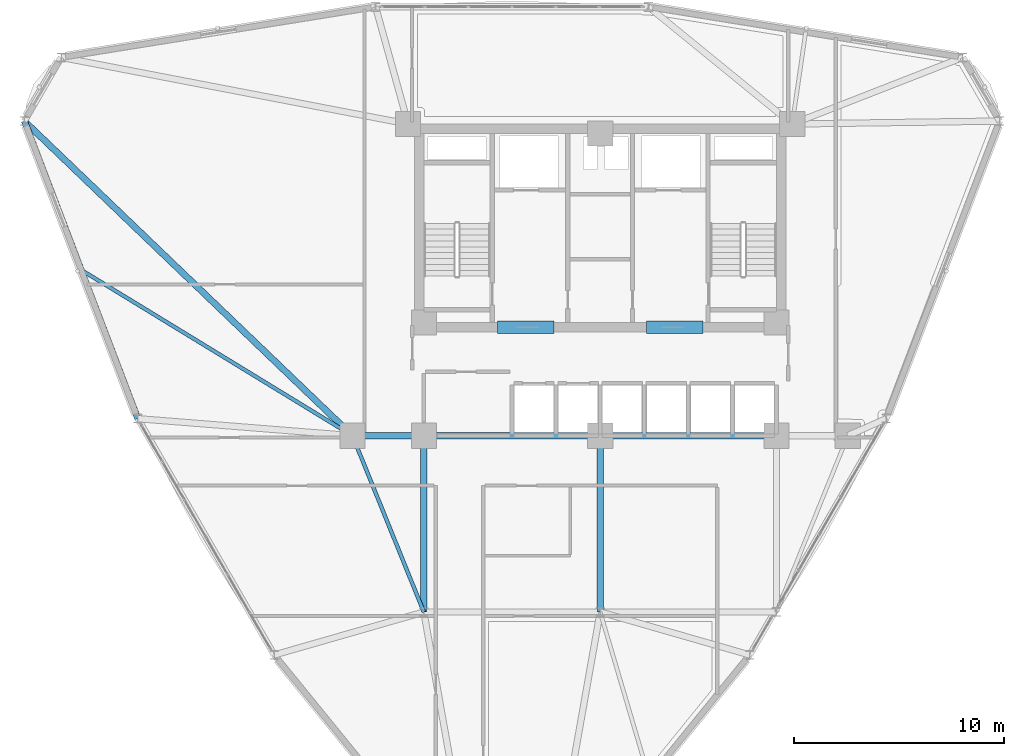
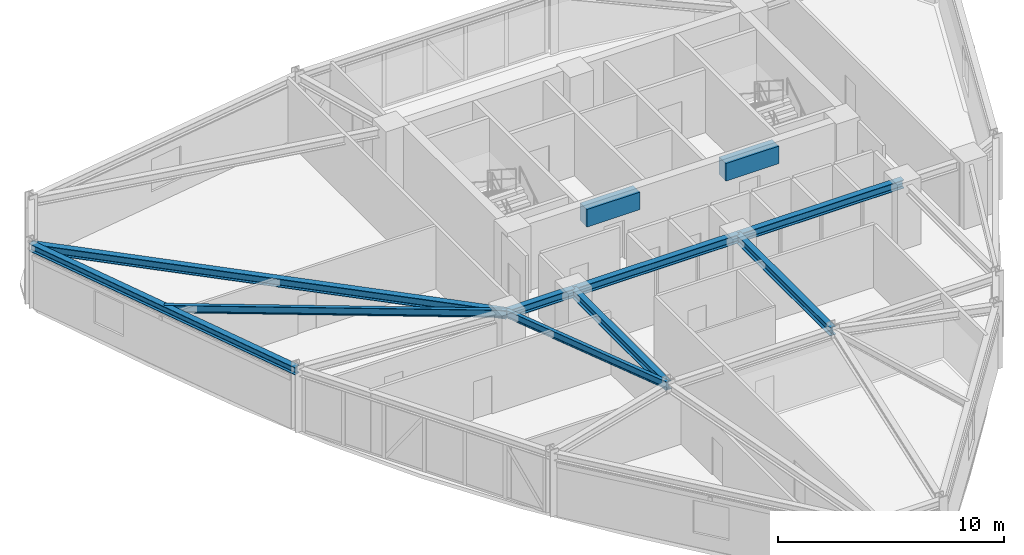
# One storey, part 5 of 15: 11 beams.
"""IFC4 building model written with IfcOpenShell, lengths in metres."""

import ifcopenshell
import ifcopenshell.guid

model = None  # the IFC model being written
_history = None  # IfcOwnerHistory: only IFC2X3 demands one
_inside = {}  # id of a spatial element -> (the spatial element, [elements in it])
_under = {}  # id of a project, library or spatial element -> (it, [spatial elements below it])
_declared = {}  # id of a project -> (the project, [libraries it declares])
_typed = {}  # id of a type object -> (the type object, [elements of that type])
_made_of = {}  # id of a material, layer set ... -> (it, [elements and type objects made of it])


def new_model(schema):
    """Start an empty IFC model of exactly this schema.

    Asked for "IFC4X3", IfcOpenShell would pick the latest addendum, in which some entities
    have other attributes; the version numbers below select the first issue.
    IFC2X3 requires an IfcOwnerHistory on every rooted entity: one is made here for all.
    """
    global model, _history
    if schema == "IFC4X3":
        model = ifcopenshell.file(schema_version=(4, 3, 0, 0))
    else:
        model = ifcopenshell.file(schema=schema)
    _inside.clear()
    _under.clear()
    _declared.clear()
    _typed.clear()
    _made_of.clear()
    _history = None
    if model.schema == "IFC2X3":
        org = make("IfcOrganization", Name="unknown")
        user = make(
            "IfcPersonAndOrganization",
            ThePerson=make("IfcPerson", FamilyName="unknown"),
            TheOrganization=org,
        )
        app = make(
            "IfcApplication",
            ApplicationDeveloper=org,
            Version="unknown",
            ApplicationFullName="unknown",
            ApplicationIdentifier="unknown",
        )
        _history = make(
            "IfcOwnerHistory",
            OwningUser=user,
            OwningApplication=app,
            ChangeAction="ADDED",
            CreationDate=0,
        )
    return model


def make(cls, **values):
    """One entity of the class cls with the attributes given. An attribute that is None is left unset."""
    return model.create_entity(
        cls, **{name: value for name, value in values.items() if value is not None}
    )


def rooted(cls, **values):
    """An entity with a GlobalId (a new one), such as an element, a storey or a relation."""
    return make(cls, GlobalId=ifcopenshell.guid.new(), OwnerHistory=_history, **values)


def si_unit(unit_type, name, prefix=None):
    """IfcSIUnit, for example si_unit("LENGTHUNIT", "METRE", prefix="MILLI")."""
    return make("IfcSIUnit", UnitType=unit_type, Prefix=prefix, Name=name)


def derived_unit(unit_type, elements):
    """IfcDerivedUnit: a product of units, each with its exponent."""
    return make(
        "IfcDerivedUnit",
        Elements=[
            make("IfcDerivedUnitElement", Unit=unit, Exponent=power)
            for unit, power in elements
        ],
        UnitType=unit_type,
    )


def assignment(units):
    """IfcUnitAssignment: the units of a project."""
    return None if units is None else make("IfcUnitAssignment", Units=units)


def point(xyz):
    """IfcCartesianPoint."""
    return None if xyz is None else make("IfcCartesianPoint", Coordinates=xyz)


def direction(xyz):
    """IfcDirection."""
    return None if xyz is None else make("IfcDirection", DirectionRatios=xyz)


def frame(location, z_axis=None, x_axis=None):
    """IfcAxis2Placement3D, a coordinate frame: its origin and axes. An axis left out is left unset."""
    return make(
        "IfcAxis2Placement3D",
        Location=point(location),
        Axis=direction(z_axis),
        RefDirection=direction(x_axis),
    )


def frame_2d(location, x_axis=None):
    """IfcAxis2Placement2D, a coordinate frame in the plane: its origin and x axis."""
    return make(
        "IfcAxis2Placement2D", Location=point(location), RefDirection=direction(x_axis)
    )


def origin():
    """The frame at (0, 0, 0) with its axes left unset."""
    return frame((0.0, 0.0, 0.0))


def origin_2d():
    """The frame at (0, 0) in the plane with its x axis left unset."""
    return frame_2d((0.0, 0.0))


def place(relative_to, where):
    """IfcLocalPlacement: puts the frame where relative to a parent placement (None: the world)."""
    return make(
        "IfcLocalPlacement", PlacementRelTo=relative_to, RelativePlacement=where
    )


def context(
    kind, dimensions, precision=None, world=None, true_north=None, identifier=None
):
    """IfcGeometricRepresentationContext, for example the 3D "Model" context."""
    return make(
        "IfcGeometricRepresentationContext",
        ContextIdentifier=identifier,
        ContextType=kind,
        CoordinateSpaceDimension=dimensions,
        Precision=precision,
        WorldCoordinateSystem=world,
        TrueNorth=true_north,
    )


def subcontext(parent, identifier, kind, view, scale=None):
    """IfcGeometricRepresentationSubContext, for example "Body" below "Model"."""
    return make(
        "IfcGeometricRepresentationSubContext",
        ContextIdentifier=identifier,
        ContextType=kind,
        ParentContext=parent,
        TargetScale=scale,
        TargetView=view,
    )


def project(units=None, contexts=None):
    """IfcProject with its units and contexts."""
    return rooted(
        "IfcProject",
        Name="project",
        RepresentationContexts=contexts,
        UnitsInContext=assignment(units),
    )


def spatial(cls, under=None, at=None, **own):
    """A site, building, storey or space (cls), placed at a placement, below another one or the project."""
    s = rooted(cls, ObjectPlacement=at, **own)
    if under is not None:
        _under.setdefault(under.id(), (under, []))[1].append(s)
    return s


def profile(cls, at=None, kind="AREA", **sizes):
    """A parametric profile (cls). Its sizes go by their IFC names, for example OverallWidth=200.0."""
    return make(cls, ProfileType=kind, Position=at, **sizes)


def rectangle(**sizes):
    """IfcRectangleProfileDef."""
    return profile("IfcRectangleProfileDef", **sizes)


def i_section(**sizes):
    """IfcIShapeProfileDef."""
    return profile("IfcIShapeProfileDef", **sizes)


def extrude(swept, where, along, depth):
    """IfcExtrudedAreaSolid: the profile swept, set in the frame where, extruded along a direction by depth."""
    return make(
        "IfcExtrudedAreaSolid",
        SweptArea=swept,
        Position=where,
        ExtrudedDirection=direction(along),
        Depth=depth,
    )


def shape(context_of_items, identifier, shape_type, items):
    """IfcShapeRepresentation: the items that make up one representation, for example the "Body"."""
    return make(
        "IfcShapeRepresentation",
        ContextOfItems=context_of_items,
        RepresentationIdentifier=identifier,
        RepresentationType=shape_type,
        Items=items,
    )


def source(mapping_origin, context_of_items, identifier, shape_type, items):
    """IfcRepresentationMap: a shape defined once, which mapped items show again and again."""
    return make(
        "IfcRepresentationMap",
        MappingOrigin=mapping_origin,
        MappedRepresentation=shape(context_of_items, identifier, shape_type, items),
    )


def transform(
    local_origin,
    x_axis=None,
    y_axis=None,
    z_axis=None,
    scale=None,
    scale2=None,
    scale3=None,
    uniform=True,
):
    """IfcCartesianTransformationOperator3D, or its non-uniform kind. x_axis, y_axis, z_axis: its Axis1, 2, 3."""
    if uniform:
        return make(
            "IfcCartesianTransformationOperator3D",
            Axis1=direction(x_axis),
            Axis2=direction(y_axis),
            LocalOrigin=point(local_origin),
            Scale=scale,
            Axis3=direction(z_axis),
        )
    return make(
        "IfcCartesianTransformationOperator3DnonUniform",
        Axis1=direction(x_axis),
        Axis2=direction(y_axis),
        LocalOrigin=point(local_origin),
        Scale=scale,
        Axis3=direction(z_axis),
        Scale2=scale2,
        Scale3=scale3,
    )


def mapped(mapping_source, mapping_target):
    """IfcMappedItem: shows the shape of a source again, moved by a transform."""
    return make(
        "IfcMappedItem", MappingSource=mapping_source, MappingTarget=mapping_target
    )


def material(Name=None, Category=None):
    """IfcMaterial."""
    return make("IfcMaterial", Name=Name, Category=Category)


def material_profile(
    of_material, cross_section, Name=None, Category=None, Priority=None
):
    """IfcMaterialProfile: a cross section and its material."""
    return make(
        "IfcMaterialProfile",
        Name=Name,
        Material=of_material,
        Profile=cross_section,
        Priority=Priority,
        Category=Category,
    )


def profile_set(profiles, Name=None, composite=None):
    """IfcMaterialProfileSet."""
    return make(
        "IfcMaterialProfileSet",
        Name=Name,
        MaterialProfiles=profiles,
        CompositeProfile=composite,
    )


def made_of(thing, what):
    """Note that an element or type object is made of a material, layer set ...; save() writes the relation."""
    if what is not None:
        _made_of.setdefault(what.id(), (what, []))[1].append(thing)
    return thing


def type_object(cls, material=None, **own):
    """A type object (cls), such as IfcWallType, which elements share."""
    return made_of(rooted(cls, **own), material)


def element(
    cls,
    number,
    at=None,
    inside=None,
    cuts=None,
    type_object=None,
    material=None,
    context=None,
    identifier="Body",
    shape_type=None,
    held_by="IfcProductDefinitionShape",
    body=None,
    shapes=None,
    **own,
):
    """One element of the class cls, such as IfcWall. Its Tag is "e" and its number.

    at: its placement. inside: the storey or other place that contains it. cuts: it is an
    opening in that element (IfcRelVoidsElement). A single representation is given by context,
    identifier, shape_type and body (its items); several are given by shapes. held_by: the class
    of the entity that holds the representations. save() writes the other relations.
    """
    e = rooted(cls, Tag="e%d" % number, ObjectPlacement=at, **own)
    if body is not None:
        shapes = [shape(context, identifier, shape_type, body)]
    if shapes is not None:
        e.Representation = make(held_by, Representations=shapes)
    if inside is not None:
        _inside.setdefault(inside.id(), (inside, []))[1].append(e)
    if cuts is not None:
        rooted(
            "IfcRelVoidsElement", RelatingBuildingElement=cuts, RelatedOpeningElement=e
        )
    if type_object is not None:
        _typed.setdefault(type_object.id(), (type_object, []))[1].append(e)
    return made_of(e, material)


def aggregate(whole, parts):
    """IfcRelAggregates: a whole, such as a stair, and the parts it consists of."""
    return rooted("IfcRelAggregates", RelatingObject=whole, RelatedObjects=parts)


def save(model, path):
    """Write the relations noted so far, then the file.

    IfcRelAggregates (storeys below a building ...), IfcRelContainedInSpatialStructure (elements
    in a storey), IfcRelDefinesByType, IfcRelAssociatesMaterial and IfcRelDeclares: one each for
    every whole, place, type object, material and project.
    """
    for whole, parts in _under.values():
        aggregate(whole, parts)
    for where, things in _inside.values():
        rooted(
            "IfcRelContainedInSpatialStructure",
            RelatedElements=things,
            RelatingStructure=where,
        )
    for kind, things in _typed.values():
        rooted("IfcRelDefinesByType", RelatedObjects=things, RelatingType=kind)
    for what, things in _made_of.values():
        rooted("IfcRelAssociatesMaterial", RelatedObjects=things, RelatingMaterial=what)
    for by, libraries in _declared.values():
        rooted("IfcRelDeclares", RelatingContext=by, RelatedDefinitions=libraries)
    model.write(path)


model = new_model("IFC4")

# Units and contexts
model_context = context("Model", 3, precision=1e-05, world=origin(), true_north=direction((0.0, 1.0)))
body_context = subcontext(model_context, "Body", "Model", "MODEL_VIEW")
ifc_project = project(units=[si_unit("LENGTHUNIT", "METRE"), si_unit("AREAUNIT", "SQUARE_METRE"), si_unit("VOLUMEUNIT", "CUBIC_METRE"), si_unit("PLANEANGLEUNIT", "RADIAN"), si_unit("MASSUNIT", "GRAM", prefix="KILO"), derived_unit("THERMALTRANSMITTANCEUNIT", [(si_unit("POWERUNIT", "WATT"), 1), (si_unit("LENGTHUNIT", "METRE"), -2), (si_unit("THERMODYNAMICTEMPERATUREUNIT", "KELVIN"), -1)])], contexts=[model_context])

# Site, building, storey
site_placement = place(None, origin())
site = spatial("IfcSite", under=ifc_project, at=site_placement, CompositionType="ELEMENT")
building_placement = place(site_placement, origin())
building = spatial("IfcBuilding", under=site, at=building_placement, Name="Korsvarv Bourse and Concert Hall", CompositionType="ELEMENT")
storey_placement = place(building_placement, frame((0.0, 0.0, 150.60009765625)))
storey = spatial("IfcBuildingStorey", under=building, at=storey_placement, Name="L38", CompositionType="ELEMENT", Elevation=150.60009765625)

# Beams
ifc_material_1 = material(Name="Concrete C55/67", Category="concrete")
ifc_material_profile_1 = material_profile(ifc_material_1, rectangle(XDim=0.60009765625, YDim=0.949951171875, at=origin_2d()), Name="RC-BM 600x950")
ifc_profile_set_1 = profile_set([ifc_material_profile_1], Name="Concrete C55/67")
beam_type_1 = type_object("IfcBeamType", Name="BM-CPL", PredefinedType="LINTEL", material=ifc_profile_set_1)
shared_shape_1 = source(origin(), body_context, "Body", "SweptSolid", [
    extrude(rectangle(XDim=0.60009765625, YDim=0.949951171875, at=origin_2d()), origin(), (0.0, 0.0, 1.0), 2.699951171875),
])
for number, where, z_axis, x_axis, name in (
    (1, (31.10009765625, 37.574951171875, 2.9248046875), (1.0, 0.0, 0.0), (0.0, 1.0, 0.0), "L38 Core Coupling Beam West"),
    (2, (38.199951171875, 37.574951171875, 2.9248046875), (1.0, 0.0, 0.0), (0.0, 1.0, 0.0), "L38 Core Coupling Beam East"),
):
    element("IfcBeam", number, at=place(storey_placement, frame(where, z_axis=z_axis, x_axis=x_axis)), inside=storey, type_object=beam_type_1, Name=name, PredefinedType="LINTEL", context=body_context, shape_type="MappedRepresentation", body=[
        mapped(shared_shape_1, transform((0.0, 0.0, 0.0), scale=1.0)),
    ])
ifc_material_2 = material(Name="Steel S355", Category="steel")
ifc_material_profile_2 = material_profile(ifc_material_2, i_section(OverallWidth=0.179931640625, OverallDepth=0.39990234375, WebThickness=0.008544921875, FlangeThickness=0.013427734375, FilletRadius=0.02099609375, at=origin_2d()), Name="IPE 400")
ifc_profile_set_2 = profile_set([ifc_material_profile_2], Name="Steel S355")
beam_type_2 = type_object("IfcBeamType", Name="BM-IPE400", PredefinedType="JOIST", material=ifc_profile_set_2)
shared_shape_2 = source(origin(), body_context, "Body", "SweptSolid", [
    extrude(i_section(OverallWidth=0.179931640625, OverallDepth=0.39990234375, WebThickness=0.008544921875, FlangeThickness=0.013427734375, FilletRadius=0.02099609375, at=origin_2d()), origin(), (0.0, 0.0, 1.0), 9.06201171875),
])
beam_1_placement = place(storey_placement, frame((24.199951171875, 32.39990234375, 3.199951171875), z_axis=(0.375210394783, -0.926939674222, 0.0), x_axis=(0.926939674222, 0.375210394783, 0.0)))
element("IfcBeam", 3, at=beam_1_placement, inside=storey, type_object=beam_type_2, Name="L38 beam J-05", PredefinedType="JOIST", context=body_context, shape_type="MappedRepresentation", body=[
    mapped(shared_shape_2, transform((0.0, 0.0, 0.0), scale=1.0)),
])
ifc_material_profile_3 = material_profile(ifc_material_2, i_section(OverallWidth=0.300048828125, OverallDepth=0.449951171875, WebThickness=0.013916015625, FlangeThickness=0.02587890625, FilletRadius=0.02099609375, at=origin_2d()), Name="HEB 450")
ifc_profile_set_3 = profile_set([ifc_material_profile_3], Name="Steel S355")
beam_type_3 = type_object("IfcBeamType", Name="BM-HEB450", PredefinedType="SPANDREL", material=ifc_profile_set_3)
shared_shape_3 = source(origin(), body_context, "Body", "SweptSolid", [
    extrude(i_section(OverallWidth=0.300048828125, OverallDepth=0.449951171875, WebThickness=0.013916015625, FlangeThickness=0.02587890625, FilletRadius=0.02099609375, at=origin_2d()), origin(), (0.0, 0.0, 1.0), 3.400146484375),
])
beam_2_placement = place(storey_placement, frame((24.199951171875, 32.39990234375, 3.1748046875), z_axis=(1.0, 0.0, 0.0), x_axis=(0.0, 1.0, 0.0)))
element("IfcBeam", 4, at=beam_2_placement, inside=storey, type_object=beam_type_3, Name="L38 beam B-08", PredefinedType="SPANDREL", context=body_context, shape_type="MappedRepresentation", body=[
    mapped(shared_shape_3, transform((0.0, 0.0, 0.0), scale=1.0)),
])
shared_shape_4 = source(origin(), body_context, "Body", "SweptSolid", [
    extrude(i_section(OverallWidth=0.300048828125, OverallDepth=0.449951171875, WebThickness=0.013916015625, FlangeThickness=0.02587890625, FilletRadius=0.02099609375, at=origin_2d()), origin(), (0.0, 0.0, 1.0), 8.39990234375),
])
for number, where, z_axis, x_axis, name in (
    (5, (27.60009765625, 32.39990234375, 3.1748046875), (1.0, 0.0, 0.0), (0.0, 1.0, 0.0), "L38 beam B-08"),
    (6, (36.0, 32.39990234375, 3.1748046875), (1.0, 0.0, 0.0), (0.0, 1.0, 0.0), "L38 beam B-08"),
    (7, (27.60009765625, 24.0, 3.1748046875), (0.0, 1.0, 0.0), (-1.0, 0.0, 0.0), "L38 beam B-08"),
    (8, (36.0, 24.0, 3.1748046875), (0.0, 1.0, 0.0), (-1.0, 0.0, 0.0), "L38 beam B-08"),
):
    element("IfcBeam", number, at=place(storey_placement, frame(where, z_axis=z_axis, x_axis=x_axis)), inside=storey, type_object=beam_type_3, Name=name, PredefinedType="SPANDREL", context=body_context, shape_type="MappedRepresentation", body=[
        mapped(shared_shape_4, transform((0.0, 0.0, 0.0), scale=1.0)),
    ])
ifc_material_profile_4 = material_profile(ifc_material_2, i_section(OverallWidth=0.300048828125, OverallDepth=0.39990234375, WebThickness=0.013427734375, FlangeThickness=0.02392578125, FilletRadius=0.02099609375, at=origin_2d()), Name="HEB 400")
ifc_profile_set_4 = profile_set([ifc_material_profile_4], Name="Steel S355")
beam_type_4 = type_object("IfcBeamType", Name="BM-HEB400", PredefinedType="SPANDREL", material=ifc_profile_set_4)
shared_shape_5 = source(origin(), body_context, "Body", "SweptSolid", [
    extrude(i_section(OverallWidth=0.300048828125, OverallDepth=0.39990234375, WebThickness=0.013427734375, FlangeThickness=0.02392578125, FilletRadius=0.02099609375, at=origin_2d()), origin(), (0.0, 0.0, 1.0), 15.173095703125),
])
beam_3_placement = place(storey_placement, frame((8.56591796875, 47.39013671875, 3.199951171875), z_axis=(0.356082310226, -0.934454594052, 0.0), x_axis=(0.934454594052, 0.356082310226, 0.0)))
element("IfcBeam", 9, at=beam_3_placement, inside=storey, type_object=beam_type_4, Name="L38 beam B-09", PredefinedType="SPANDREL", context=body_context, shape_type="MappedRepresentation", body=[
    mapped(shared_shape_5, transform((0.0, 0.0, 0.0), scale=1.0)),
])
shared_shape_6 = source(origin(), body_context, "Body", "SweptSolid", [
    extrude(i_section(OverallWidth=0.300048828125, OverallDepth=0.449951171875, WebThickness=0.013916015625, FlangeThickness=0.02587890625, FilletRadius=0.02099609375, at=origin_2d()), origin(), (0.0, 0.0, 1.0), 21.659423828125),
])
beam_4_placement = place(storey_placement, frame((8.56591796875, 47.39013671875, 3.1748046875), z_axis=(0.72181245391, -0.692088709185, 0.0), x_axis=(0.692088709185, 0.72181245391, 0.0)))
element("IfcBeam", 10, at=beam_4_placement, inside=storey, type_object=beam_type_3, Name="L38 beam B-08", PredefinedType="SPANDREL", context=body_context, shape_type="MappedRepresentation", body=[
    mapped(shared_shape_6, transform((0.0, 0.0, 0.0), scale=1.0)),
])
shared_shape_7 = source(origin(), body_context, "Body", "SweptSolid", [
    extrude(i_section(OverallWidth=0.179931640625, OverallDepth=0.39990234375, WebThickness=0.008544921875, FlangeThickness=0.013427734375, FilletRadius=0.02099609375, at=origin_2d()), origin(), (0.0, 0.0, 1.0), 15.155029296875),
])
beam_5_placement = place(storey_placement, frame((11.267333984375, 40.30078125, 3.199951171875), z_axis=(0.853351911277, -0.521335319655, 0.0), x_axis=(0.521335319655, 0.853351911277, 0.0)))
element("IfcBeam", 11, at=beam_5_placement, inside=storey, type_object=beam_type_2, Name="L38 beam J-05", PredefinedType="JOIST", context=body_context, shape_type="MappedRepresentation", body=[
    mapped(shared_shape_7, transform((0.0, 0.0, 0.0), scale=1.0)),
])

save(model, "model.ifc")
